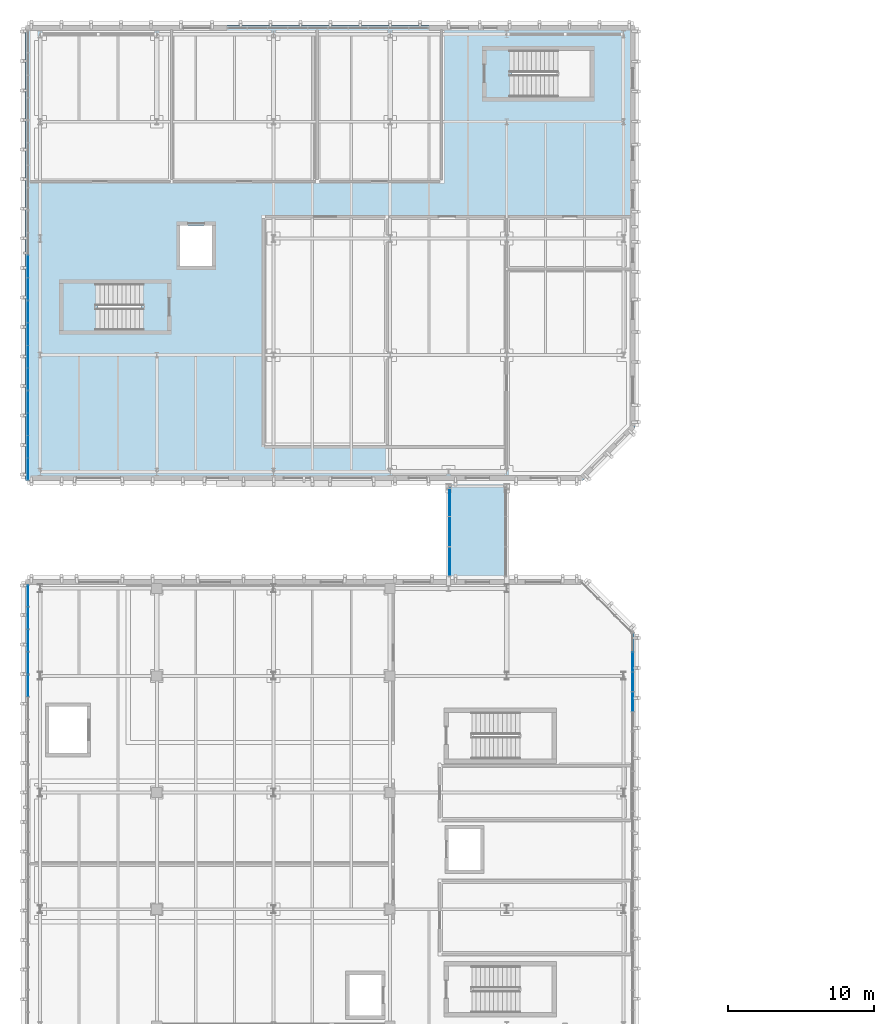
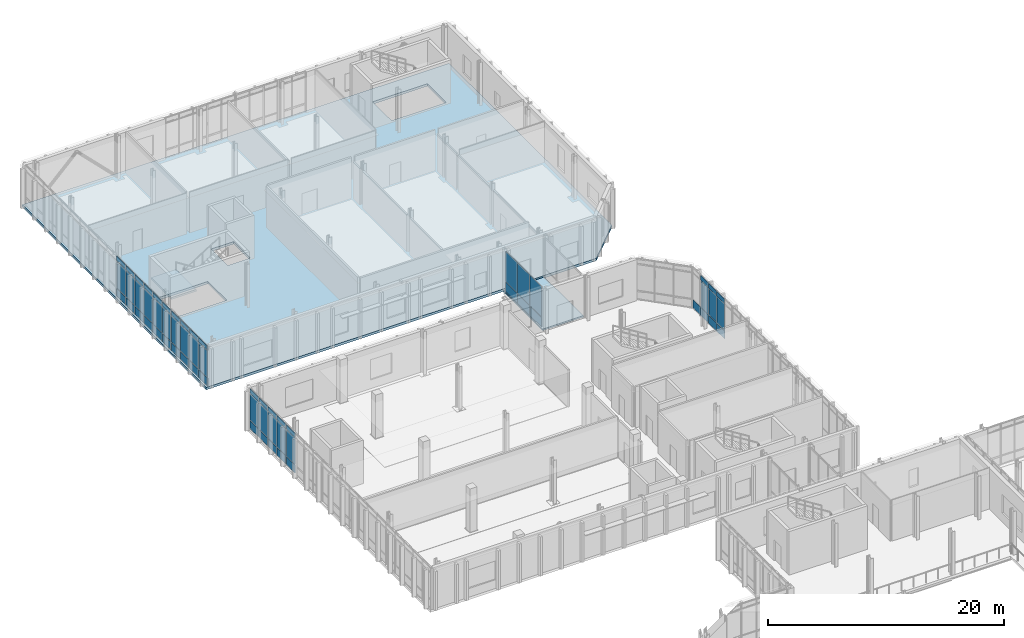
# One storey, part 55 of 100: 61 plates, 3 slabs, 8 elements without a shape of their own.
"""IFC4 building model written with IfcOpenShell, lengths in metres."""

from ifc_helpers import new_model, si_unit, direction, frame, origin, origin_2d, place, context, subcontext, project, spatial, polyline, rectangle, outline, extrude, material, layer, layer_set, type_object, element, aggregate, save


model = new_model("IFC4")

# Units and contexts
model_context = context("Model", 3, precision=1e-05, world=origin(), true_north=direction((0.0, 1.0)))
body_context = subcontext(model_context, "Body", "Model", "MODEL_VIEW")
ifc_project = project(units=[si_unit("LENGTHUNIT", "METRE"), si_unit("AREAUNIT", "SQUARE_METRE"), si_unit("VOLUMEUNIT", "CUBIC_METRE"), si_unit("PLANEANGLEUNIT", "RADIAN"), si_unit("MASSUNIT", "GRAM", prefix="KILO")], contexts=[model_context])

# Site, building, storey
site_placement = place(None, origin())
site = spatial("IfcSite", under=ifc_project, at=site_placement, CompositionType="ELEMENT")
building_placement = place(site_placement, origin())
building = spatial("IfcBuilding", under=site, at=building_placement, Name="Cymarion Research Institute", CompositionType="ELEMENT")
storey_placement = place(building_placement, frame((0.0, 0.0, 4.800048828125)))
storey = spatial("IfcBuildingStorey", under=building, at=storey_placement, Name="L01", CompositionType="ELEMENT", Elevation=4.800048828125)

# Slabs
ifc_material_1 = material(Name="Concrete C35/45", Category="concrete")
ifc_layer_1 = layer(ifc_material_1, 0.159912109375)
ifc_layer_set_1 = layer_set([ifc_layer_1], Name="Concrete C35/45")
slab_type_1 = type_object("IfcSlabType", Name="COMPOSITE FLOOR SLAB SL-BR160 160MM", PredefinedType="FLOOR", material=ifc_layer_set_1)
slab_1_placement = place(storey_placement, frame((0.0, 0.0, -0.16015625)))
element("IfcSlab", 1, at=slab_1_placement, inside=storey, type_object=slab_type_1, Name="L01 SP2 sky-passage composite deck", PredefinedType="FLOOR", context=body_context, shape_type="SweptSolid", body=[
    extrude(outline(polyline([(34.60009765625, 78.10009765625), (38.60009765625, 78.10009765625), (38.60009765625, 84.699951171875), (34.60009765625, 84.699951171875), (34.60009765625, 78.10009765625)])), origin(), (0.0, 0.0, 1.0), 0.16015625),
])
ifc_layer_2 = layer(ifc_material_1, 0.25)
ifc_layer_set_2 = layer_set([ifc_layer_2], Name="Concrete C35/45")
slab_type_2 = type_object("IfcSlabType", Name="COMPOSITE FLOOR SLAB SL-FL250 250MM", PredefinedType="FLOOR", material=ifc_layer_set_2)
slab_2_placement = place(storey_placement, frame((0.0, 0.0, -0.25)))
element("IfcSlab", 2, at=slab_2_placement, inside=storey, type_object=slab_type_2, Name="L01 V5 floor slab", PredefinedType="FLOOR", context=body_context, shape_type="SweptSolid", body=[
    extrude(outline(polyline([(5.60009765625, 84.89990234375), (43.800048828125, 84.89990234375), (47.39990234375, 88.5), (47.39990234375, 116.10009765625), (5.60009765625, 116.10009765625), (5.60009765625, 84.89990234375)]), holes=[polyline([(13.56005859375, 98.39990234375), (8.199951171875, 98.39990234375), (8.199951171875, 95.199951171875), (13.56005859375, 95.199951171875), (13.56005859375, 98.39990234375)]), polyline([(16.199951171875, 99.60009765625), (18.39990234375, 99.60009765625), (18.39990234375, 102.39990234375), (16.199951171875, 102.39990234375), (16.199951171875, 99.60009765625)]), polyline([(38.93994140625, 111.199951171875), (44.300048828125, 111.199951171875), (44.300048828125, 114.39990234375), (38.93994140625, 114.39990234375), (38.93994140625, 111.199951171875)])]), origin(), (0.0, 0.0, 1.0), 0.25),
])

# Curtain wall, plates
ifc_material_2 = material(Name="Anodised aluminium unitised curtain wall with Low-E glazing", Category="aluminium")
curtain_wall_type_1 = type_object("IfcCurtainWallType", Name="UNITISED CURTAIN WALL CW20 6820X4250", PredefinedType="NOTDEFINED", material=ifc_material_2)
curtain_wall_1_placement = place(storey_placement, origin())
curtain_wall_1 = element("IfcCurtainWall", 3, at=curtain_wall_1_placement, inside=storey, type_object=curtain_wall_type_1, Name="L01 V4 unitised curtain wall CW20 #42", PredefinedType="NOTDEFINED")
ifc_material_3 = material(Name="Insulated anodised aluminium spandrel panel", Category="aluminium")
ifc_layer_3 = layer(ifc_material_3, 0.06005859375)
ifc_layer_set_3 = layer_set([ifc_layer_3], Name="Insulated anodised aluminium spandrel panel")
plate_type_1 = type_object("IfcPlateType", Name="INSULATED ALUMINIUM SPANDREL PANEL SP01 60MM", PredefinedType="SHEET", material=ifc_layer_set_3)
plate_1_placement = place(storey_placement, frame((47.22998046875, 69.726318359375, 0.059814453125), z_axis=(0.0, 0.0, 1.0), x_axis=(0.0, 1.0, 0.0)))
plate_1 = element("IfcPlate", 4, at=plate_1_placement, type_object=plate_type_1, Name="CW20 panel 2.1", PredefinedType="SHEET", context=body_context, shape_type="SweptSolid", body=[
    extrude(rectangle(XDim=1.303955078125, YDim=0.06005859375, at=origin_2d()), origin(), (0.0, 0.0, 1.0), 0.81005859375),
])
plate_2_placement = place(storey_placement, frame((47.22998046875, 69.726318359375, 3.72998046875), z_axis=(0.0, 0.0, 1.0), x_axis=(0.0, 1.0, 0.0)))
plate_2 = element("IfcPlate", 5, at=plate_2_placement, type_object=plate_type_1, Name="CW20 panel 2.3", PredefinedType="SHEET", context=body_context, shape_type="SweptSolid", body=[
    extrude(rectangle(XDim=1.303955078125, YDim=0.06005859375, at=origin_2d()), origin(), (0.0, 0.0, 1.0), 0.4599609375),
])
plate_3_placement = place(storey_placement, frame((47.22998046875, 71.09033203125, 0.059814453125), z_axis=(0.0, 0.0, 1.0), x_axis=(0.0, 1.0, 0.0)))
plate_3 = element("IfcPlate", 6, at=plate_3_placement, type_object=plate_type_1, Name="CW20 panel 3.1", PredefinedType="SHEET", context=body_context, shape_type="SweptSolid", body=[
    extrude(rectangle(XDim=1.303955078125, YDim=0.06005859375, at=origin_2d()), origin(), (0.0, 0.0, 1.0), 0.81005859375),
])
plate_4_placement = place(storey_placement, frame((47.22998046875, 71.09033203125, 3.72998046875), z_axis=(0.0, 0.0, 1.0), x_axis=(0.0, 1.0, 0.0)))
plate_4 = element("IfcPlate", 7, at=plate_4_placement, type_object=plate_type_1, Name="CW20 panel 3.3", PredefinedType="SHEET", context=body_context, shape_type="SweptSolid", body=[
    extrude(rectangle(XDim=1.303955078125, YDim=0.06005859375, at=origin_2d()), origin(), (0.0, 0.0, 1.0), 0.4599609375),
])
plate_5_placement = place(storey_placement, frame((47.22998046875, 72.4541015625, 0.059814453125), z_axis=(0.0, 0.0, 1.0), x_axis=(0.0, 1.0, 0.0)))
plate_5 = element("IfcPlate", 8, at=plate_5_placement, type_object=plate_type_1, Name="CW20 panel 4.1", PredefinedType="SHEET", context=body_context, shape_type="SweptSolid", body=[
    extrude(rectangle(XDim=1.303955078125, YDim=0.06005859375, at=origin_2d()), origin(), (0.0, 0.0, 1.0), 0.81005859375),
])
plate_6_placement = place(storey_placement, frame((47.22998046875, 72.4541015625, 3.72998046875), z_axis=(0.0, 0.0, 1.0), x_axis=(0.0, 1.0, 0.0)))
plate_6 = element("IfcPlate", 9, at=plate_6_placement, type_object=plate_type_1, Name="CW20 panel 4.3", PredefinedType="SHEET", context=body_context, shape_type="SweptSolid", body=[
    extrude(rectangle(XDim=1.303955078125, YDim=0.06005859375, at=origin_2d()), origin(), (0.0, 0.0, 1.0), 0.4599609375),
])
plate_7_placement = place(storey_placement, frame((47.22998046875, 73.802978515625, 0.059814453125), z_axis=(0.0, 0.0, 1.0), x_axis=(0.0, 1.0, 0.0)))
plate_7 = element("IfcPlate", 10, at=plate_7_placement, type_object=plate_type_1, Name="CW20 panel 5.1", PredefinedType="SHEET", context=body_context, shape_type="SweptSolid", body=[
    extrude(rectangle(XDim=1.27392578125, YDim=0.06005859375, at=origin_2d()), origin(), (0.0, 0.0, 1.0), 0.81005859375),
])

curtain_wall_type_2 = type_object("IfcCurtainWallType", Name="UNITISED CURTAIN WALL CW22 6180X4250", PredefinedType="NOTDEFINED", material=ifc_material_2)
curtain_wall_2_placement = place(storey_placement, origin())
curtain_wall_2 = element("IfcCurtainWall", 11, at=curtain_wall_2_placement, inside=storey, type_object=curtain_wall_type_2, Name="L01 V4 unitised curtain wall CW22 #44", PredefinedType="NOTDEFINED")
plate_8_placement = place(storey_placement, frame((5.77001953125, 76.990966796875, 0.059814453125), z_axis=(0.0, 0.0, 1.0), x_axis=(0.0, -1.0, 0.0)))
plate_8 = element("IfcPlate", 12, at=plate_8_placement, type_object=plate_type_1, Name="CW22 panel 1.1", PredefinedType="SHEET", context=body_context, shape_type="SweptSolid", body=[
    extrude(rectangle(XDim=1.453857421875, YDim=0.06005859375, at=origin_2d()), origin(), (0.0, 0.0, 1.0), 0.81005859375),
])
plate_9_placement = place(storey_placement, frame((5.77001953125, 76.990966796875, 3.72998046875), z_axis=(0.0, 0.0, 1.0), x_axis=(0.0, -1.0, 0.0)))
plate_9 = element("IfcPlate", 13, at=plate_9_placement, type_object=plate_type_1, Name="CW22 panel 1.3", PredefinedType="SHEET", context=body_context, shape_type="SweptSolid", body=[
    extrude(rectangle(XDim=1.453857421875, YDim=0.06005859375, at=origin_2d()), origin(), (0.0, 0.0, 1.0), 0.4599609375),
])
plate_10_placement = place(storey_placement, frame((5.77001953125, 75.462158203125, 0.059814453125), z_axis=(0.0, 0.0, 1.0), x_axis=(0.0, -1.0, 0.0)))
plate_10 = element("IfcPlate", 14, at=plate_10_placement, type_object=plate_type_1, Name="CW22 panel 2.1", PredefinedType="SHEET", context=body_context, shape_type="SweptSolid", body=[
    extrude(rectangle(XDim=1.48388671875, YDim=0.06005859375, at=origin_2d()), origin(), (0.0, 0.0, 1.0), 0.81005859375),
])
plate_11_placement = place(storey_placement, frame((5.77001953125, 75.462158203125, 3.72998046875), z_axis=(0.0, 0.0, 1.0), x_axis=(0.0, -1.0, 0.0)))
plate_11 = element("IfcPlate", 15, at=plate_11_placement, type_object=plate_type_1, Name="CW22 panel 2.3", PredefinedType="SHEET", context=body_context, shape_type="SweptSolid", body=[
    extrude(rectangle(XDim=1.48388671875, YDim=0.06005859375, at=origin_2d()), origin(), (0.0, 0.0, 1.0), 0.4599609375),
])
plate_12_placement = place(storey_placement, frame((5.77001953125, 73.918212890625, 0.059814453125), z_axis=(0.0, 0.0, 1.0), x_axis=(0.0, -1.0, 0.0)))
plate_12 = element("IfcPlate", 16, at=plate_12_placement, type_object=plate_type_1, Name="CW22 panel 3.1", PredefinedType="SHEET", context=body_context, shape_type="SweptSolid", body=[
    extrude(rectangle(XDim=1.48388671875, YDim=0.06005859375, at=origin_2d()), origin(), (0.0, 0.0, 1.0), 0.81005859375),
])
plate_13_placement = place(storey_placement, frame((5.77001953125, 73.918212890625, 3.72998046875), z_axis=(0.0, 0.0, 1.0), x_axis=(0.0, -1.0, 0.0)))
plate_13 = element("IfcPlate", 17, at=plate_13_placement, type_object=plate_type_1, Name="CW22 panel 3.3", PredefinedType="SHEET", context=body_context, shape_type="SweptSolid", body=[
    extrude(rectangle(XDim=1.48388671875, YDim=0.06005859375, at=origin_2d()), origin(), (0.0, 0.0, 1.0), 0.4599609375),
])
plate_14_placement = place(storey_placement, frame((5.77001953125, 72.389404296875, 0.059814453125), z_axis=(0.0, 0.0, 1.0), x_axis=(0.0, -1.0, 0.0)))
plate_14 = element("IfcPlate", 18, at=plate_14_placement, type_object=plate_type_1, Name="CW22 panel 4.1", PredefinedType="SHEET", context=body_context, shape_type="SweptSolid", body=[
    extrude(rectangle(XDim=1.453857421875, YDim=0.06005859375, at=origin_2d()), origin(), (0.0, 0.0, 1.0), 0.81005859375),
])
plate_15_placement = place(storey_placement, frame((5.77001953125, 72.389404296875, 3.72998046875), z_axis=(0.0, 0.0, 1.0), x_axis=(0.0, -1.0, 0.0)))
plate_15 = element("IfcPlate", 19, at=plate_15_placement, type_object=plate_type_1, Name="CW22 panel 4.3", PredefinedType="SHEET", context=body_context, shape_type="SweptSolid", body=[
    extrude(rectangle(XDim=1.453857421875, YDim=0.06005859375, at=origin_2d()), origin(), (0.0, 0.0, 1.0), 0.4599609375),
])

curtain_wall_3_placement = place(storey_placement, origin())
curtain_wall_3 = element("IfcCurtainWall", 20, at=curtain_wall_3_placement, inside=storey, type_object=curtain_wall_type_2, Name="L01 V4 unitised curtain wall CW22 #45", PredefinedType="NOTDEFINED")
plate_16_placement = place(storey_placement, frame((5.77001953125, 70.8154296875, 0.059814453125), z_axis=(0.0, 0.0, 1.0), x_axis=(0.0, -1.0, 0.0)))
plate_16 = element("IfcPlate", 21, at=plate_16_placement, type_object=plate_type_1, Name="CW22 panel 1.1", PredefinedType="SHEET", context=body_context, shape_type="SweptSolid", body=[
    extrude(rectangle(XDim=1.453857421875, YDim=0.06005859375, at=origin_2d()), origin(), (0.0, 0.0, 1.0), 0.81005859375),
])
plate_17_placement = place(storey_placement, frame((5.77001953125, 70.8154296875, 3.72998046875), z_axis=(0.0, 0.0, 1.0), x_axis=(0.0, -1.0, 0.0)))
plate_17 = element("IfcPlate", 22, at=plate_17_placement, type_object=plate_type_1, Name="CW22 panel 1.3", PredefinedType="SHEET", context=body_context, shape_type="SweptSolid", body=[
    extrude(rectangle(XDim=1.453857421875, YDim=0.06005859375, at=origin_2d()), origin(), (0.0, 0.0, 1.0), 0.4599609375),
])

curtain_wall_4_placement = place(storey_placement, origin())
curtain_wall_4 = element("IfcCurtainWall", 23, at=curtain_wall_4_placement, inside=storey, type_object=curtain_wall_type_2, Name="L01 V5 unitised curtain wall CW22 #53", PredefinedType="NOTDEFINED")
plate_18_placement = place(storey_placement, frame((5.77001953125, 99.567138671875, 0.059814453125), z_axis=(0.0, 0.0, 1.0), x_axis=(0.0, -1.0, 0.0)))
plate_18 = element("IfcPlate", 24, at=plate_18_placement, type_object=plate_type_1, Name="CW22 panel 3.1", PredefinedType="SHEET", context=body_context, shape_type="SweptSolid", body=[
    extrude(rectangle(XDim=1.48388671875, YDim=0.06005859375, at=origin_2d()), origin(), (0.0, 0.0, 1.0), 0.81005859375),
])
plate_19_placement = place(storey_placement, frame((5.77001953125, 99.567138671875, 3.72998046875), z_axis=(0.0, 0.0, 1.0), x_axis=(0.0, -1.0, 0.0)))
plate_19 = element("IfcPlate", 25, at=plate_19_placement, type_object=plate_type_1, Name="CW22 panel 3.3", PredefinedType="SHEET", context=body_context, shape_type="SweptSolid", body=[
    extrude(rectangle(XDim=1.48388671875, YDim=0.06005859375, at=origin_2d()), origin(), (0.0, 0.0, 1.0), 0.4599609375),
])
plate_20_placement = place(storey_placement, frame((5.77001953125, 98.0380859375, 0.059814453125), z_axis=(0.0, 0.0, 1.0), x_axis=(0.0, -1.0, 0.0)))
plate_20 = element("IfcPlate", 26, at=plate_20_placement, type_object=plate_type_1, Name="CW22 panel 4.1", PredefinedType="SHEET", context=body_context, shape_type="SweptSolid", body=[
    extrude(rectangle(XDim=1.453857421875, YDim=0.06005859375, at=origin_2d()), origin(), (0.0, 0.0, 1.0), 0.81005859375),
])
plate_21_placement = place(storey_placement, frame((5.77001953125, 98.0380859375, 3.72998046875), z_axis=(0.0, 0.0, 1.0), x_axis=(0.0, -1.0, 0.0)))
plate_21 = element("IfcPlate", 27, at=plate_21_placement, type_object=plate_type_1, Name="CW22 panel 4.3", PredefinedType="SHEET", context=body_context, shape_type="SweptSolid", body=[
    extrude(rectangle(XDim=1.453857421875, YDim=0.06005859375, at=origin_2d()), origin(), (0.0, 0.0, 1.0), 0.4599609375),
])

curtain_wall_5_placement = place(storey_placement, origin())
curtain_wall_5 = element("IfcCurtainWall", 28, at=curtain_wall_5_placement, inside=storey, type_object=curtain_wall_type_2, Name="L01 V5 unitised curtain wall CW22 #54", PredefinedType="NOTDEFINED")
plate_22_placement = place(storey_placement, frame((5.77001953125, 96.46435546875, 0.059814453125), z_axis=(0.0, 0.0, 1.0), x_axis=(0.0, -1.0, 0.0)))
plate_22 = element("IfcPlate", 29, at=plate_22_placement, type_object=plate_type_1, Name="CW22 panel 1.1", PredefinedType="SHEET", context=body_context, shape_type="SweptSolid", body=[
    extrude(rectangle(XDim=1.453857421875, YDim=0.06005859375, at=origin_2d()), origin(), (0.0, 0.0, 1.0), 0.81005859375),
])
plate_23_placement = place(storey_placement, frame((5.77001953125, 96.46435546875, 3.72998046875), z_axis=(0.0, 0.0, 1.0), x_axis=(0.0, -1.0, 0.0)))
plate_23 = element("IfcPlate", 30, at=plate_23_placement, type_object=plate_type_1, Name="CW22 panel 1.3", PredefinedType="SHEET", context=body_context, shape_type="SweptSolid", body=[
    extrude(rectangle(XDim=1.453857421875, YDim=0.06005859375, at=origin_2d()), origin(), (0.0, 0.0, 1.0), 0.4599609375),
])
plate_24_placement = place(storey_placement, frame((5.77001953125, 94.935302734375, 0.059814453125), z_axis=(0.0, 0.0, 1.0), x_axis=(0.0, -1.0, 0.0)))
plate_24 = element("IfcPlate", 31, at=plate_24_placement, type_object=plate_type_1, Name="CW22 panel 2.1", PredefinedType="SHEET", context=body_context, shape_type="SweptSolid", body=[
    extrude(rectangle(XDim=1.48388671875, YDim=0.06005859375, at=origin_2d()), origin(), (0.0, 0.0, 1.0), 0.81005859375),
])
plate_25_placement = place(storey_placement, frame((5.77001953125, 94.935302734375, 3.72998046875), z_axis=(0.0, 0.0, 1.0), x_axis=(0.0, -1.0, 0.0)))
plate_25 = element("IfcPlate", 32, at=plate_25_placement, type_object=plate_type_1, Name="CW22 panel 2.3", PredefinedType="SHEET", context=body_context, shape_type="SweptSolid", body=[
    extrude(rectangle(XDim=1.48388671875, YDim=0.06005859375, at=origin_2d()), origin(), (0.0, 0.0, 1.0), 0.4599609375),
])
plate_26_placement = place(storey_placement, frame((5.77001953125, 93.391357421875, 0.059814453125), z_axis=(0.0, 0.0, 1.0), x_axis=(0.0, -1.0, 0.0)))
plate_26 = element("IfcPlate", 33, at=plate_26_placement, type_object=plate_type_1, Name="CW22 panel 3.1", PredefinedType="SHEET", context=body_context, shape_type="SweptSolid", body=[
    extrude(rectangle(XDim=1.48388671875, YDim=0.06005859375, at=origin_2d()), origin(), (0.0, 0.0, 1.0), 0.81005859375),
])
plate_27_placement = place(storey_placement, frame((5.77001953125, 93.391357421875, 3.72998046875), z_axis=(0.0, 0.0, 1.0), x_axis=(0.0, -1.0, 0.0)))
plate_27 = element("IfcPlate", 34, at=plate_27_placement, type_object=plate_type_1, Name="CW22 panel 3.3", PredefinedType="SHEET", context=body_context, shape_type="SweptSolid", body=[
    extrude(rectangle(XDim=1.48388671875, YDim=0.06005859375, at=origin_2d()), origin(), (0.0, 0.0, 1.0), 0.4599609375),
])
plate_28_placement = place(storey_placement, frame((5.77001953125, 91.862548828125, 0.059814453125), z_axis=(0.0, 0.0, 1.0), x_axis=(0.0, -1.0, 0.0)))
plate_28 = element("IfcPlate", 35, at=plate_28_placement, type_object=plate_type_1, Name="CW22 panel 4.1", PredefinedType="SHEET", context=body_context, shape_type="SweptSolid", body=[
    extrude(rectangle(XDim=1.453857421875, YDim=0.06005859375, at=origin_2d()), origin(), (0.0, 0.0, 1.0), 0.81005859375),
])
plate_29_placement = place(storey_placement, frame((5.77001953125, 91.862548828125, 3.72998046875), z_axis=(0.0, 0.0, 1.0), x_axis=(0.0, -1.0, 0.0)))
plate_29 = element("IfcPlate", 36, at=plate_29_placement, type_object=plate_type_1, Name="CW22 panel 4.3", PredefinedType="SHEET", context=body_context, shape_type="SweptSolid", body=[
    extrude(rectangle(XDim=1.453857421875, YDim=0.06005859375, at=origin_2d()), origin(), (0.0, 0.0, 1.0), 0.4599609375),
])

curtain_wall_6_placement = place(storey_placement, origin())
curtain_wall_6 = element("IfcCurtainWall", 37, at=curtain_wall_6_placement, inside=storey, type_object=curtain_wall_type_2, Name="L01 V5 unitised curtain wall CW22 #55", PredefinedType="NOTDEFINED")
plate_30_placement = place(storey_placement, frame((5.77001953125, 90.28857421875, 0.059814453125), z_axis=(0.0, 0.0, 1.0), x_axis=(0.0, -1.0, 0.0)))
plate_30 = element("IfcPlate", 38, at=plate_30_placement, type_object=plate_type_1, Name="CW22 panel 1.1", PredefinedType="SHEET", context=body_context, shape_type="SweptSolid", body=[
    extrude(rectangle(XDim=1.453857421875, YDim=0.06005859375, at=origin_2d()), origin(), (0.0, 0.0, 1.0), 0.81005859375),
])
plate_31_placement = place(storey_placement, frame((5.77001953125, 90.28857421875, 3.72998046875), z_axis=(0.0, 0.0, 1.0), x_axis=(0.0, -1.0, 0.0)))
plate_31 = element("IfcPlate", 39, at=plate_31_placement, type_object=plate_type_1, Name="CW22 panel 1.3", PredefinedType="SHEET", context=body_context, shape_type="SweptSolid", body=[
    extrude(rectangle(XDim=1.453857421875, YDim=0.06005859375, at=origin_2d()), origin(), (0.0, 0.0, 1.0), 0.4599609375),
])
plate_32_placement = place(storey_placement, frame((5.77001953125, 88.759765625, 0.059814453125), z_axis=(0.0, 0.0, 1.0), x_axis=(0.0, -1.0, 0.0)))
plate_32 = element("IfcPlate", 40, at=plate_32_placement, type_object=plate_type_1, Name="CW22 panel 2.1", PredefinedType="SHEET", context=body_context, shape_type="SweptSolid", body=[
    extrude(rectangle(XDim=1.48388671875, YDim=0.06005859375, at=origin_2d()), origin(), (0.0, 0.0, 1.0), 0.81005859375),
])
plate_33_placement = place(storey_placement, frame((5.77001953125, 88.759765625, 3.72998046875), z_axis=(0.0, 0.0, 1.0), x_axis=(0.0, -1.0, 0.0)))
plate_33 = element("IfcPlate", 41, at=plate_33_placement, type_object=plate_type_1, Name="CW22 panel 2.3", PredefinedType="SHEET", context=body_context, shape_type="SweptSolid", body=[
    extrude(rectangle(XDim=1.48388671875, YDim=0.06005859375, at=origin_2d()), origin(), (0.0, 0.0, 1.0), 0.4599609375),
])
plate_34_placement = place(storey_placement, frame((5.77001953125, 87.2158203125, 0.059814453125), z_axis=(0.0, 0.0, 1.0), x_axis=(0.0, -1.0, 0.0)))
plate_34 = element("IfcPlate", 42, at=plate_34_placement, type_object=plate_type_1, Name="CW22 panel 3.1", PredefinedType="SHEET", context=body_context, shape_type="SweptSolid", body=[
    extrude(rectangle(XDim=1.48388671875, YDim=0.06005859375, at=origin_2d()), origin(), (0.0, 0.0, 1.0), 0.81005859375),
])
plate_35_placement = place(storey_placement, frame((5.77001953125, 87.2158203125, 3.72998046875), z_axis=(0.0, 0.0, 1.0), x_axis=(0.0, -1.0, 0.0)))
plate_35 = element("IfcPlate", 43, at=plate_35_placement, type_object=plate_type_1, Name="CW22 panel 3.3", PredefinedType="SHEET", context=body_context, shape_type="SweptSolid", body=[
    extrude(rectangle(XDim=1.48388671875, YDim=0.06005859375, at=origin_2d()), origin(), (0.0, 0.0, 1.0), 0.4599609375),
])
plate_36_placement = place(storey_placement, frame((5.77001953125, 85.68701171875, 0.059814453125), z_axis=(0.0, 0.0, 1.0), x_axis=(0.0, -1.0, 0.0)))
plate_36 = element("IfcPlate", 44, at=plate_36_placement, type_object=plate_type_1, Name="CW22 panel 4.1", PredefinedType="SHEET", context=body_context, shape_type="SweptSolid", body=[
    extrude(rectangle(XDim=1.453857421875, YDim=0.06005859375, at=origin_2d()), origin(), (0.0, 0.0, 1.0), 0.81005859375),
])
plate_37_placement = place(storey_placement, frame((5.77001953125, 85.68701171875, 3.72998046875), z_axis=(0.0, 0.0, 1.0), x_axis=(0.0, -1.0, 0.0)))
plate_37 = element("IfcPlate", 45, at=plate_37_placement, type_object=plate_type_1, Name="CW22 panel 4.3", PredefinedType="SHEET", context=body_context, shape_type="SweptSolid", body=[
    extrude(rectangle(XDim=1.453857421875, YDim=0.06005859375, at=origin_2d()), origin(), (0.0, 0.0, 1.0), 0.4599609375),
])

curtain_wall_type_3 = type_object("IfcCurtainWallType", Name="UNITISED CURTAIN WALL CW25 6200X4260", PredefinedType="NOTDEFINED", material=ifc_material_2)
curtain_wall_7_placement = place(storey_placement, origin())
curtain_wall_7 = element("IfcCurtainWall", 46, at=curtain_wall_7_placement, inside=storey, type_object=curtain_wall_type_3, Name="L01 SP2 sky-passage glazed wall 1", PredefinedType="NOTDEFINED")
plate_38_placement = place(storey_placement, frame((34.679931640625, 79.348388671875, 0.06005859375), z_axis=(0.0, 0.0, 1.0), x_axis=(0.0, 1.0, 0.0)))
plate_38 = element("IfcPlate", 47, at=plate_38_placement, type_object=plate_type_1, Name="CW25 panel 1.1", PredefinedType="SHEET", context=body_context, shape_type="SweptSolid", body=[
    extrude(rectangle(XDim=1.9765625, YDim=0.06005859375, at=origin_2d()), origin(), (0.0, 0.0, 1.0), 0.9599609375),
])
plate_39_placement = place(storey_placement, frame((34.679931640625, 81.39990234375, 0.06005859375), z_axis=(0.0, 0.0, 1.0), x_axis=(0.0, 1.0, 0.0)))
plate_39 = element("IfcPlate", 48, at=plate_39_placement, type_object=plate_type_1, Name="CW25 panel 2.1", PredefinedType="SHEET", context=body_context, shape_type="SweptSolid", body=[
    extrude(rectangle(XDim=2.006591796875, YDim=0.06005859375, at=origin_2d()), origin(), (0.0, 0.0, 1.0), 0.9599609375),
])
plate_40_placement = place(storey_placement, frame((34.679931640625, 83.45166015625, 0.06005859375), z_axis=(0.0, 0.0, 1.0), x_axis=(0.0, 1.0, 0.0)))
plate_40 = element("IfcPlate", 49, at=plate_40_placement, type_object=plate_type_1, Name="CW25 panel 3.1", PredefinedType="SHEET", context=body_context, shape_type="SweptSolid", body=[
    extrude(rectangle(XDim=1.9765625, YDim=0.06005859375, at=origin_2d()), origin(), (0.0, 0.0, 1.0), 0.9599609375),
])

# Stair, slab
stair_type = type_object("IfcStairType", Name="REINFORCED CONCRETE DOGLEG STAIR STR-4500", PredefinedType="HALF_TURN_STAIR", material=ifc_material_1)
stair_placement = place(storey_placement, origin())
stair = element("IfcStair", 50, at=stair_placement, inside=storey, type_object=stair_type, Name="L01 Core C9 Smoke-Proof Exit Stair ST9", PredefinedType="HALF_TURN_STAIR")
ifc_layer_4 = layer(ifc_material_1, 0.199951171875)
ifc_layer_set_4 = layer_set([ifc_layer_4], Name="Concrete C35/45")
slab_type_3 = type_object("IfcSlabType", Name="REINFORCED CONCRETE STAIR LANDING LDG200", PredefinedType="LANDING", material=ifc_layer_set_4)
slab_3_placement = place(storey_placement, frame((0.0, 0.0, 2.050048828125)))
slab_3 = element("IfcSlab", 51, at=slab_3_placement, type_object=slab_type_3, Name="ST9 landing 1", PredefinedType="LANDING", context=body_context, shape_type="SweptSolid", body=[
    extrude(outline(polyline([(10.52001953125, 98.52001953125), (10.52001953125, 95.080078125), (8.080078125, 95.080078125), (8.080078125, 98.52001953125), (10.52001953125, 98.52001953125)])), origin(), (0.0, 0.0, 1.0), 0.199951171875),
])
aggregate(stair, [slab_3])

# Plate
ifc_material_4 = material(Name="Low-E double solar-control glazing", Category="glass")
ifc_layer_5 = layer(ifc_material_4, 0.035888671875)
ifc_layer_set_5 = layer_set([ifc_layer_5], Name="Low-E double solar-control glazing")
plate_type_2 = type_object("IfcPlateType", Name="SOLAR CONTROL GLAZED VISION PANEL GP01 36MM", PredefinedType="CURTAIN_PANEL", material=ifc_layer_set_5)
plate_41_placement = place(storey_placement, frame((47.22998046875, 69.726318359375, 0.93017578125), z_axis=(0.0, 0.0, 1.0), x_axis=(0.0, 1.0, 0.0)))
plate_41 = element("IfcPlate", 52, at=plate_41_placement, type_object=plate_type_2, Name="CW20 panel 2.2", PredefinedType="CURTAIN_PANEL", context=body_context, shape_type="SweptSolid", body=[
    extrude(rectangle(XDim=1.303955078125, YDim=0.035888671875, at=origin_2d()), origin(), (0.0, 0.0, 1.0), 2.739990234375),
])

plate_42_placement = place(storey_placement, frame((47.22998046875, 71.09033203125, 0.93017578125), z_axis=(0.0, 0.0, 1.0), x_axis=(0.0, 1.0, 0.0)))
plate_42 = element("IfcPlate", 53, at=plate_42_placement, type_object=plate_type_2, Name="CW20 panel 3.2", PredefinedType="CURTAIN_PANEL", context=body_context, shape_type="SweptSolid", body=[
    extrude(rectangle(XDim=1.303955078125, YDim=0.035888671875, at=origin_2d()), origin(), (0.0, 0.0, 1.0), 2.739990234375),
])

plate_43_placement = place(storey_placement, frame((47.22998046875, 72.4541015625, 0.93017578125), z_axis=(0.0, 0.0, 1.0), x_axis=(0.0, 1.0, 0.0)))
plate_43 = element("IfcPlate", 54, at=plate_43_placement, type_object=plate_type_2, Name="CW20 panel 4.2", PredefinedType="CURTAIN_PANEL", context=body_context, shape_type="SweptSolid", body=[
    extrude(rectangle(XDim=1.303955078125, YDim=0.035888671875, at=origin_2d()), origin(), (0.0, 0.0, 1.0), 2.739990234375),
])

aggregate(curtain_wall_1, [plate_1, plate_41, plate_2, plate_3, plate_42, plate_4, plate_5, plate_43, plate_6, plate_7])

plate_44_placement = place(storey_placement, frame((5.77001953125, 76.990966796875, 0.93017578125), z_axis=(0.0, 0.0, 1.0), x_axis=(0.0, -1.0, 0.0)))
plate_44 = element("IfcPlate", 55, at=plate_44_placement, type_object=plate_type_2, Name="CW22 panel 1.2", PredefinedType="CURTAIN_PANEL", context=body_context, shape_type="SweptSolid", body=[
    extrude(rectangle(XDim=1.453857421875, YDim=0.035888671875, at=origin_2d()), origin(), (0.0, 0.0, 1.0), 2.739990234375),
])

plate_45_placement = place(storey_placement, frame((5.77001953125, 75.462158203125, 0.93017578125), z_axis=(0.0, 0.0, 1.0), x_axis=(0.0, -1.0, 0.0)))
plate_45 = element("IfcPlate", 56, at=plate_45_placement, type_object=plate_type_2, Name="CW22 panel 2.2", PredefinedType="CURTAIN_PANEL", context=body_context, shape_type="SweptSolid", body=[
    extrude(rectangle(XDim=1.48388671875, YDim=0.035888671875, at=origin_2d()), origin(), (0.0, 0.0, 1.0), 2.739990234375),
])

plate_46_placement = place(storey_placement, frame((5.77001953125, 73.918212890625, 0.93017578125), z_axis=(0.0, 0.0, 1.0), x_axis=(0.0, -1.0, 0.0)))
plate_46 = element("IfcPlate", 57, at=plate_46_placement, type_object=plate_type_2, Name="CW22 panel 3.2", PredefinedType="CURTAIN_PANEL", context=body_context, shape_type="SweptSolid", body=[
    extrude(rectangle(XDim=1.48388671875, YDim=0.035888671875, at=origin_2d()), origin(), (0.0, 0.0, 1.0), 2.739990234375),
])

plate_47_placement = place(storey_placement, frame((5.77001953125, 72.389404296875, 0.93017578125), z_axis=(0.0, 0.0, 1.0), x_axis=(0.0, -1.0, 0.0)))
plate_47 = element("IfcPlate", 58, at=plate_47_placement, type_object=plate_type_2, Name="CW22 panel 4.2", PredefinedType="CURTAIN_PANEL", context=body_context, shape_type="SweptSolid", body=[
    extrude(rectangle(XDim=1.453857421875, YDim=0.035888671875, at=origin_2d()), origin(), (0.0, 0.0, 1.0), 2.739990234375),
])

aggregate(curtain_wall_2, [plate_8, plate_44, plate_9, plate_10, plate_45, plate_11, plate_12, plate_46, plate_13, plate_14, plate_47, plate_15])

plate_48_placement = place(storey_placement, frame((5.77001953125, 70.8154296875, 0.93017578125), z_axis=(0.0, 0.0, 1.0), x_axis=(0.0, -1.0, 0.0)))
plate_48 = element("IfcPlate", 59, at=plate_48_placement, type_object=plate_type_2, Name="CW22 panel 1.2", PredefinedType="CURTAIN_PANEL", context=body_context, shape_type="SweptSolid", body=[
    extrude(rectangle(XDim=1.453857421875, YDim=0.035888671875, at=origin_2d()), origin(), (0.0, 0.0, 1.0), 2.739990234375),
])

aggregate(curtain_wall_3, [plate_16, plate_48, plate_17])

plate_49_placement = place(storey_placement, frame((5.77001953125, 99.567138671875, 0.93017578125), z_axis=(0.0, 0.0, 1.0), x_axis=(0.0, -1.0, 0.0)))
plate_49 = element("IfcPlate", 60, at=plate_49_placement, type_object=plate_type_2, Name="CW22 panel 3.2", PredefinedType="CURTAIN_PANEL", context=body_context, shape_type="SweptSolid", body=[
    extrude(rectangle(XDim=1.48388671875, YDim=0.035888671875, at=origin_2d()), origin(), (0.0, 0.0, 1.0), 2.739990234375),
])

plate_50_placement = place(storey_placement, frame((5.77001953125, 98.0380859375, 0.93017578125), z_axis=(0.0, 0.0, 1.0), x_axis=(0.0, -1.0, 0.0)))
plate_50 = element("IfcPlate", 61, at=plate_50_placement, type_object=plate_type_2, Name="CW22 panel 4.2", PredefinedType="CURTAIN_PANEL", context=body_context, shape_type="SweptSolid", body=[
    extrude(rectangle(XDim=1.453857421875, YDim=0.035888671875, at=origin_2d()), origin(), (0.0, 0.0, 1.0), 2.739990234375),
])

aggregate(curtain_wall_4, [plate_18, plate_49, plate_19, plate_20, plate_50, plate_21])

plate_51_placement = place(storey_placement, frame((5.77001953125, 96.46435546875, 0.93017578125), z_axis=(0.0, 0.0, 1.0), x_axis=(0.0, -1.0, 0.0)))
plate_51 = element("IfcPlate", 62, at=plate_51_placement, type_object=plate_type_2, Name="CW22 panel 1.2", PredefinedType="CURTAIN_PANEL", context=body_context, shape_type="SweptSolid", body=[
    extrude(rectangle(XDim=1.453857421875, YDim=0.035888671875, at=origin_2d()), origin(), (0.0, 0.0, 1.0), 2.739990234375),
])

plate_52_placement = place(storey_placement, frame((5.77001953125, 94.935302734375, 0.93017578125), z_axis=(0.0, 0.0, 1.0), x_axis=(0.0, -1.0, 0.0)))
plate_52 = element("IfcPlate", 63, at=plate_52_placement, type_object=plate_type_2, Name="CW22 panel 2.2", PredefinedType="CURTAIN_PANEL", context=body_context, shape_type="SweptSolid", body=[
    extrude(rectangle(XDim=1.48388671875, YDim=0.035888671875, at=origin_2d()), origin(), (0.0, 0.0, 1.0), 2.739990234375),
])

plate_53_placement = place(storey_placement, frame((5.77001953125, 93.391357421875, 0.93017578125), z_axis=(0.0, 0.0, 1.0), x_axis=(0.0, -1.0, 0.0)))
plate_53 = element("IfcPlate", 64, at=plate_53_placement, type_object=plate_type_2, Name="CW22 panel 3.2", PredefinedType="CURTAIN_PANEL", context=body_context, shape_type="SweptSolid", body=[
    extrude(rectangle(XDim=1.48388671875, YDim=0.035888671875, at=origin_2d()), origin(), (0.0, 0.0, 1.0), 2.739990234375),
])

plate_54_placement = place(storey_placement, frame((5.77001953125, 91.862548828125, 0.93017578125), z_axis=(0.0, 0.0, 1.0), x_axis=(0.0, -1.0, 0.0)))
plate_54 = element("IfcPlate", 65, at=plate_54_placement, type_object=plate_type_2, Name="CW22 panel 4.2", PredefinedType="CURTAIN_PANEL", context=body_context, shape_type="SweptSolid", body=[
    extrude(rectangle(XDim=1.453857421875, YDim=0.035888671875, at=origin_2d()), origin(), (0.0, 0.0, 1.0), 2.739990234375),
])

aggregate(curtain_wall_5, [plate_22, plate_51, plate_23, plate_24, plate_52, plate_25, plate_26, plate_53, plate_27, plate_28, plate_54, plate_29])

plate_55_placement = place(storey_placement, frame((5.77001953125, 90.28857421875, 0.93017578125), z_axis=(0.0, 0.0, 1.0), x_axis=(0.0, -1.0, 0.0)))
plate_55 = element("IfcPlate", 66, at=plate_55_placement, type_object=plate_type_2, Name="CW22 panel 1.2", PredefinedType="CURTAIN_PANEL", context=body_context, shape_type="SweptSolid", body=[
    extrude(rectangle(XDim=1.453857421875, YDim=0.035888671875, at=origin_2d()), origin(), (0.0, 0.0, 1.0), 2.739990234375),
])

plate_56_placement = place(storey_placement, frame((5.77001953125, 88.759765625, 0.93017578125), z_axis=(0.0, 0.0, 1.0), x_axis=(0.0, -1.0, 0.0)))
plate_56 = element("IfcPlate", 67, at=plate_56_placement, type_object=plate_type_2, Name="CW22 panel 2.2", PredefinedType="CURTAIN_PANEL", context=body_context, shape_type="SweptSolid", body=[
    extrude(rectangle(XDim=1.48388671875, YDim=0.035888671875, at=origin_2d()), origin(), (0.0, 0.0, 1.0), 2.739990234375),
])

plate_57_placement = place(storey_placement, frame((5.77001953125, 87.2158203125, 0.93017578125), z_axis=(0.0, 0.0, 1.0), x_axis=(0.0, -1.0, 0.0)))
plate_57 = element("IfcPlate", 68, at=plate_57_placement, type_object=plate_type_2, Name="CW22 panel 3.2", PredefinedType="CURTAIN_PANEL", context=body_context, shape_type="SweptSolid", body=[
    extrude(rectangle(XDim=1.48388671875, YDim=0.035888671875, at=origin_2d()), origin(), (0.0, 0.0, 1.0), 2.739990234375),
])

plate_58_placement = place(storey_placement, frame((5.77001953125, 85.68701171875, 0.93017578125), z_axis=(0.0, 0.0, 1.0), x_axis=(0.0, -1.0, 0.0)))
plate_58 = element("IfcPlate", 69, at=plate_58_placement, type_object=plate_type_2, Name="CW22 panel 4.2", PredefinedType="CURTAIN_PANEL", context=body_context, shape_type="SweptSolid", body=[
    extrude(rectangle(XDim=1.453857421875, YDim=0.035888671875, at=origin_2d()), origin(), (0.0, 0.0, 1.0), 2.739990234375),
])

aggregate(curtain_wall_6, [plate_30, plate_55, plate_31, plate_32, plate_56, plate_33, plate_34, plate_57, plate_35, plate_36, plate_58, plate_37])

plate_59_placement = place(storey_placement, frame((34.679931640625, 79.348388671875, 1.079833984375), z_axis=(0.0, 0.0, 1.0), x_axis=(0.0, 1.0, 0.0)))
plate_59 = element("IfcPlate", 70, at=plate_59_placement, type_object=plate_type_2, Name="CW25 panel 1.2", PredefinedType="CURTAIN_PANEL", context=body_context, shape_type="SweptSolid", body=[
    extrude(rectangle(XDim=1.9765625, YDim=0.035888671875, at=origin_2d()), origin(), (0.0, 0.0, 1.0), 3.1201171875),
])

plate_60_placement = place(storey_placement, frame((34.679931640625, 81.39990234375, 1.079833984375), z_axis=(0.0, 0.0, 1.0), x_axis=(0.0, 1.0, 0.0)))
plate_60 = element("IfcPlate", 71, at=plate_60_placement, type_object=plate_type_2, Name="CW25 panel 2.2", PredefinedType="CURTAIN_PANEL", context=body_context, shape_type="SweptSolid", body=[
    extrude(rectangle(XDim=2.006591796875, YDim=0.035888671875, at=origin_2d()), origin(), (0.0, 0.0, 1.0), 3.1201171875),
])

plate_61_placement = place(storey_placement, frame((34.679931640625, 83.45166015625, 1.079833984375), z_axis=(0.0, 0.0, 1.0), x_axis=(0.0, 1.0, 0.0)))
plate_61 = element("IfcPlate", 72, at=plate_61_placement, type_object=plate_type_2, Name="CW25 panel 3.2", PredefinedType="CURTAIN_PANEL", context=body_context, shape_type="SweptSolid", body=[
    extrude(rectangle(XDim=1.9765625, YDim=0.035888671875, at=origin_2d()), origin(), (0.0, 0.0, 1.0), 3.1201171875),
])

aggregate(curtain_wall_7, [plate_38, plate_59, plate_39, plate_60, plate_40, plate_61])

save(model, "model.ifc")
